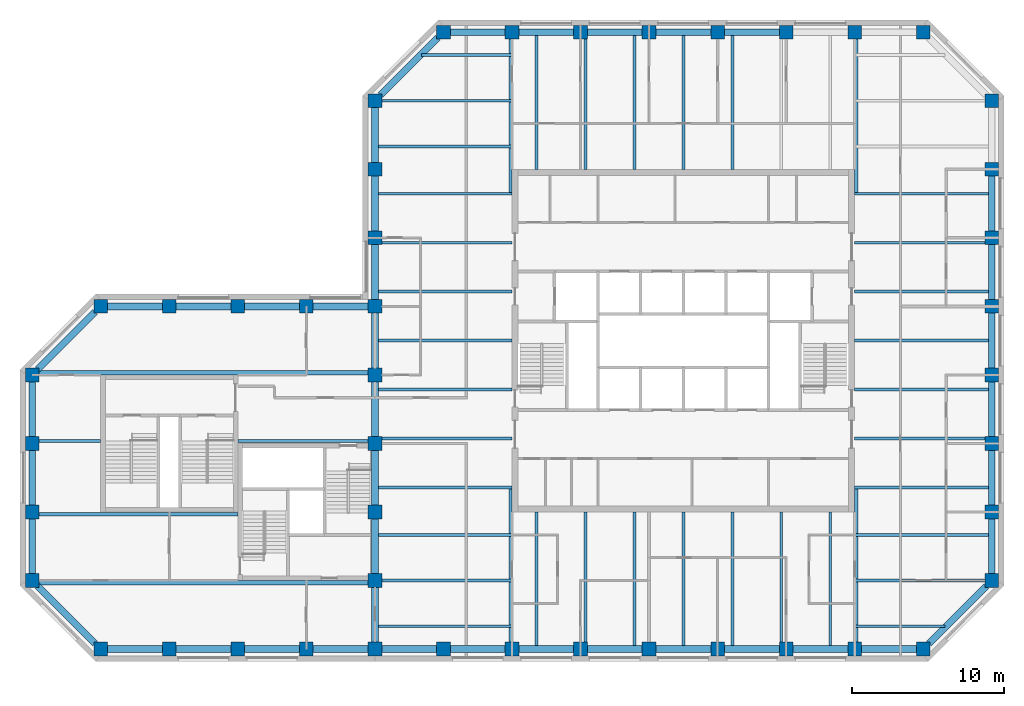
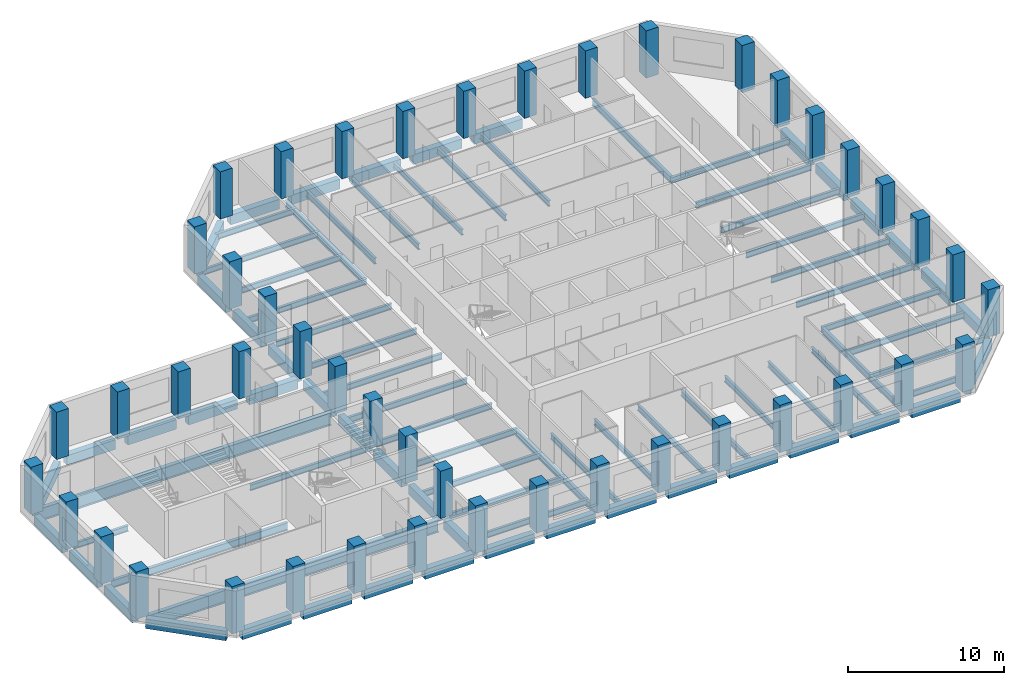
# One storey, part 1 of 9: 86 beams, 45 columns.
"""IFC4 building model written with IfcOpenShell, lengths in metres."""

from ifc_helpers import new_model, si_unit, direction, frame, origin, origin_2d, place, context, subcontext, project, spatial, rectangle, i_section, extrude, material, material_profile, profile_set, type_object, element, save


model = new_model("IFC4")

# Units and contexts
model_context = context("Model", 3, precision=1e-05, world=origin(), true_north=direction((0.0, 1.0)))
body_context = subcontext(model_context, "Body", "Model", "MODEL_VIEW")
ifc_project = project(units=[si_unit("LENGTHUNIT", "METRE"), si_unit("AREAUNIT", "SQUARE_METRE"), si_unit("VOLUMEUNIT", "CUBIC_METRE"), si_unit("PLANEANGLEUNIT", "RADIAN"), si_unit("MASSUNIT", "GRAM", prefix="KILO")], contexts=[model_context])

# Site, building, storey
site_placement = place(None, origin())
site = spatial("IfcSite", under=ifc_project, at=site_placement, CompositionType="ELEMENT")
building_placement = place(site_placement, origin())
building = spatial("IfcBuilding", under=site, at=building_placement, Name="Quoin Convention Tower", CompositionType="ELEMENT")
storey_placement = place(building_placement, frame((0.0, 0.0, 241.5)))
storey = spatial("IfcBuildingStorey", under=building, at=storey_placement, Name="L63", CompositionType="ELEMENT", Elevation=241.5)

# Columns
ifc_material_1 = material(Name="Concrete C50", Category="concrete")
ifc_material_profile_1 = material_profile(ifc_material_1, rectangle(XDim=0.89990234375, YDim=0.89990234375, at=origin_2d()), Name="RC 900x900")
ifc_profile_set_1 = profile_set([ifc_material_profile_1], Name="Concrete C50")
column_type = type_object("IfcColumnType", Name="RC 900x900 C50", PredefinedType="COLUMN", material=ifc_profile_set_1)
for number, where, z_axis, x_axis, name in (
    (1, (18.0, 40.5, 0.0), (0.0, 0.0, 1.0), (1.0, 0.0, 0.0), "col-L63-18000_40500"),
    (2, (22.5, 40.5, 0.0), (0.0, 0.0, 1.0), (1.0, 0.0, 0.0), "col-L63-22500_40500"),
    (3, (27.0, 40.5, 0.0), (0.0, 0.0, 1.0), (1.0, 0.0, 0.0), "col-L63-27000_40500"),
    (4, (31.5, 40.5, 0.0), (0.0, 0.0, 1.0), (1.0, 0.0, 0.0), "col-L63-31500_40500"),
    (5, (36.0, 40.5, 0.0), (0.0, 0.0, 1.0), (1.0, 0.0, 0.0), "col-L63-36000_40500"),
    (6, (40.5, 40.5, 0.0), (0.0, 0.0, 1.0), (1.0, 0.0, 0.0), "col-L63-40500_40500"),
    (7, (45.0, 40.5, 0.0), (0.0, 0.0, 1.0), (1.0, 0.0, 0.0), "col-L63-45000_40500"),
    (8, (49.5, 40.5, 0.0), (0.0, 0.0, 1.0), (1.0, 0.0, 0.0), "col-L63-49500_40500"),
    (9, (54.0, 40.5, 0.0), (0.0, 0.0, 1.0), (1.0, 0.0, 0.0), "col-L63-54000_40500"),
    (10, (58.5, 40.5, 0.0), (0.0, 0.0, 1.0), (1.0, 0.0, 0.0), "col-L63-58500_40500"),
    (11, (63.0, 40.5, 0.0), (0.0, 0.0, 1.0), (1.0, 0.0, 0.0), "col-L63-63000_40500"),
    (12, (67.5, 40.5, 0.0), (0.0, 0.0, 1.0), (1.0, 0.0, 0.0), "col-L63-67500_40500"),
    (13, (72.0, 40.5, 0.0), (0.0, 0.0, 1.0), (1.0, 0.0, 0.0), "col-L63-72000_40500"),
    (14, (13.5, 45.0, 0.0), (0.0, 0.0, 1.0), (1.0, 0.0, 0.0), "col-L63-13500_45000"),
    (15, (36.0, 45.0, 0.0), (0.0, 0.0, 1.0), (1.0, 0.0, 0.0), "web-L63-36000_45000"),
    (16, (76.5, 45.0, 0.0), (0.0, 0.0, 1.0), (1.0, 0.0, 0.0), "col-L63-76500_45000"),
    (17, (13.5, 49.5, 0.0), (0.0, 0.0, 1.0), (1.0, 0.0, 0.0), "col-L63-13500_49500"),
    (18, (36.0, 49.5, 0.0), (0.0, 0.0, 1.0), (1.0, 0.0, 0.0), "web-L63-36000_49500"),
    (19, (76.5, 49.5, 0.0), (0.0, 0.0, 1.0), (1.0, 0.0, 0.0), "col-L63-76500_49500"),
    (20, (13.5, 54.0, 0.0), (0.0, 0.0, 1.0), (1.0, 0.0, 0.0), "col-L63-13500_54000"),
    (21, (36.0, 54.0, 0.0), (0.0, 0.0, 1.0), (1.0, 0.0, 0.0), "web-L63-36000_54000"),
    (22, (76.5, 54.0, 0.0), (0.0, 0.0, 1.0), (1.0, 0.0, 0.0), "col-L63-76500_54000"),
    (23, (13.5, 58.5, 0.0), (0.0, 0.0, 1.0), (1.0, 0.0, 0.0), "col-L63-13500_58500"),
    (24, (36.0, 58.5, 0.0), (0.0, 0.0, 1.0), (1.0, 0.0, 0.0), "web-L63-36000_58500"),
    (25, (76.5, 58.5, 0.0), (0.0, 0.0, 1.0), (1.0, 0.0, 0.0), "col-L63-76500_58500"),
    (26, (18.0, 63.0, 0.0), (0.0, 0.0, 1.0), (1.0, 0.0, 0.0), "col-L63-18000_63000"),
    (27, (22.5, 63.0, 0.0), (0.0, 0.0, 1.0), (1.0, 0.0, 0.0), "col-L63-22500_63000"),
    (28, (27.0, 63.0, 0.0), (0.0, 0.0, 1.0), (1.0, 0.0, 0.0), "col-L63-27000_63000"),
    (29, (31.5, 63.0, 0.0), (0.0, 0.0, 1.0), (1.0, 0.0, 0.0), "col-L63-31500_63000"),
    (30, (36.0, 63.0, 0.0), (0.0, 0.0, 1.0), (1.0, 0.0, 0.0), "col-L63-36000_63000"),
    (31, (76.5, 63.0, 0.0), (0.0, 0.0, 1.0), (1.0, 0.0, 0.0), "col-L63-76500_63000"),
    (32, (36.0, 67.5, 0.0), (0.0, 0.0, 1.0), (1.0, 0.0, 0.0), "col-L63-36000_67500"),
    (33, (76.5, 67.5, 0.0), (0.0, 0.0, 1.0), (1.0, 0.0, 0.0), "col-L63-76500_67500"),
    (34, (36.0, 72.0, 0.0), (0.0, 0.0, 1.0), (1.0, 0.0, 0.0), "col-L63-36000_72000"),
    (35, (76.5, 72.0, 0.0), (0.0, 0.0, 1.0), (1.0, 0.0, 0.0), "col-L63-76500_72000"),
    (36, (36.0, 76.5, 0.0), (0.0, 0.0, 1.0), (1.0, 0.0, 0.0), "col-L63-36000_76500"),
    (37, (76.5, 76.5, 0.0), (0.0, 0.0, 1.0), (1.0, 0.0, 0.0), "col-L63-76500_76500"),
    (38, (40.5, 81.0, 0.0), (0.0, 0.0, 1.0), (1.0, 0.0, 0.0), "col-L63-40500_81000"),
    (39, (45.0, 81.0, 0.0), (0.0, 0.0, 1.0), (1.0, 0.0, 0.0), "col-L63-45000_81000"),
    (40, (49.5, 81.0, 0.0), (0.0, 0.0, 1.0), (1.0, 0.0, 0.0), "col-L63-49500_81000"),
    (41, (54.0, 81.0, 0.0), (0.0, 0.0, 1.0), (1.0, 0.0, 0.0), "col-L63-54000_81000"),
    (42, (58.5, 81.0, 0.0), (0.0, 0.0, 1.0), (1.0, 0.0, 0.0), "col-L63-58500_81000"),
    (43, (63.0, 81.0, 0.0), (0.0, 0.0, 1.0), (1.0, 0.0, 0.0), "col-L63-63000_81000"),
    (44, (67.5, 81.0, 0.0), (0.0, 0.0, 1.0), (1.0, 0.0, 0.0), "col-L63-67500_81000"),
    (45, (72.0, 81.0, 0.0), (0.0, 0.0, 1.0), (1.0, 0.0, 0.0), "col-L63-72000_81000"),
):
    element("IfcColumn", number, at=place(storey_placement, frame(where, z_axis=z_axis, x_axis=x_axis)), inside=storey, type_object=column_type, Name=name, PredefinedType="COLUMN", context=body_context, shape_type="SweptSolid", body=[
        extrude(rectangle(XDim=0.89990234375, YDim=0.89990234375, at=origin_2d()), origin(), (0.0, 0.0, 1.0), 3.699951171875),
    ])

# Beams
ifc_material_2 = material(Name="Steel Grade 300", Category="steel")
ifc_material_profile_2 = material_profile(ifc_material_2, i_section(OverallWidth=0.300048828125, OverallDepth=1.0, WebThickness=0.01611328125, FlangeThickness=0.02001953125, at=origin_2d()), Name="1000WB215")
ifc_profile_set_2 = profile_set([ifc_material_profile_2], Name="Steel Grade 300")
beam_type_1 = type_object("IfcBeamType", Name="1000WB215", PredefinedType="BEAM", material=ifc_profile_set_2)
for number, where, z_axis, x_axis, name in (
    (46, (13.949951171875, 44.85009765625, -0.64990234375), (1.0, 0.0, 0.0), (0.0, 1.0, 0.0), "gir-L63-ST2-1-0"),
    (47, (13.949951171875, 58.64990234375, -0.64990234375), (1.0, 0.0, 0.0), (0.0, 1.0, 0.0), "gir-L63-ST2-4-0"),
):
    element("IfcBeam", number, at=place(storey_placement, frame(where, z_axis=z_axis, x_axis=x_axis)), inside=storey, type_object=beam_type_1, Name=name, PredefinedType="BEAM", context=body_context, shape_type="SweptSolid", body=[
        extrude(i_section(OverallWidth=0.300048828125, OverallDepth=1.0, WebThickness=0.01611328125, FlangeThickness=0.02001953125, at=origin_2d()), origin(), (0.0, 0.0, 1.0), 21.60009765625),
    ])
ifc_material_profile_3 = material_profile(ifc_material_2, i_section(OverallWidth=0.18994140625, OverallDepth=0.4541015625, WebThickness=0.008544921875, FlangeThickness=0.0126953125, FilletRadius=0.011474609375, at=origin_2d()), Name="460UB67.1")
ifc_profile_set_3 = profile_set([ifc_material_profile_3], Name="Steel Grade 300")
beam_type_2 = type_object("IfcBeamType", Name="460UB67.1", PredefinedType="BEAM", material=ifc_profile_set_3)
beam_1_placement = place(storey_placement, frame((36.22509765625, 51.107177734375, -0.376953125), z_axis=(1.0, 0.0, 0.0), x_axis=(0.0, 1.0, 0.0)))
element("IfcBeam", 48, at=beam_1_placement, inside=storey, type_object=beam_type_2, Name="bm-L63-T1W0", PredefinedType="BEAM", context=body_context, shape_type="SweptSolid", body=[
    extrude(i_section(OverallWidth=0.18994140625, OverallDepth=0.4541015625, WebThickness=0.008544921875, FlangeThickness=0.0126953125, FilletRadius=0.011474609375, at=origin_2d()), origin(), (0.0, 0.0, 1.0), 8.77490234375),
])
beam_2_placement = place(storey_placement, frame((36.449951171875, 54.3212890625, -0.376953125), z_axis=(1.0, 0.0, 0.0), x_axis=(0.0, 1.0, 0.0)))
element("IfcBeam", 49, at=beam_2_placement, inside=storey, type_object=beam_type_2, Name="bm-L63-T1W1", PredefinedType="BEAM", context=body_context, shape_type="SweptSolid", body=[
    extrude(i_section(OverallWidth=0.18994140625, OverallDepth=0.4541015625, WebThickness=0.008544921875, FlangeThickness=0.0126953125, FilletRadius=0.011474609375, at=origin_2d()), origin(), (0.0, 0.0, 1.0), 8.550048828125),
])
for number, where, z_axis, x_axis, name in (
    (50, (36.22509765625, 57.53564453125, -0.376953125), (1.0, 0.0, 0.0), (0.0, 1.0, 0.0), "bm-L63-T1W2"),
    (51, (36.22509765625, 60.75, -0.376953125), (1.0, 0.0, 0.0), (0.0, 1.0, 0.0), "bm-L63-T1W3"),
    (52, (36.22509765625, 63.96435546875, -0.376953125), (1.0, 0.0, 0.0), (0.0, 1.0, 0.0), "bm-L63-T1W4"),
):
    element("IfcBeam", number, at=place(storey_placement, frame(where, z_axis=z_axis, x_axis=x_axis)), inside=storey, type_object=beam_type_2, Name=name, PredefinedType="BEAM", context=body_context, shape_type="SweptSolid", body=[
        extrude(i_section(OverallWidth=0.18994140625, OverallDepth=0.4541015625, WebThickness=0.008544921875, FlangeThickness=0.0126953125, FilletRadius=0.011474609375, at=origin_2d()), origin(), (0.0, 0.0, 1.0), 8.77490234375),
    ])
beam_3_placement = place(storey_placement, frame((36.449951171875, 67.1787109375, -0.376953125), z_axis=(1.0, 0.0, 0.0), x_axis=(0.0, 1.0, 0.0)))
element("IfcBeam", 53, at=beam_3_placement, inside=storey, type_object=beam_type_2, Name="bm-L63-T1W5", PredefinedType="BEAM", context=body_context, shape_type="SweptSolid", body=[
    extrude(i_section(OverallWidth=0.18994140625, OverallDepth=0.4541015625, WebThickness=0.008544921875, FlangeThickness=0.0126953125, FilletRadius=0.011474609375, at=origin_2d()), origin(), (0.0, 0.0, 1.0), 8.550048828125),
])
for number, where, z_axis, x_axis, name in (
    (54, (36.22509765625, 70.392822265625, -0.376953125), (1.0, 0.0, 0.0), (0.0, 1.0, 0.0), "bm-L63-T1W6"),
    (55, (67.5, 51.107177734375, -0.376953125), (1.0, 0.0, 0.0), (0.0, 1.0, 0.0), "bm-L63-T1E0"),
):
    element("IfcBeam", number, at=place(storey_placement, frame(where, z_axis=z_axis, x_axis=x_axis)), inside=storey, type_object=beam_type_2, Name=name, PredefinedType="BEAM", context=body_context, shape_type="SweptSolid", body=[
        extrude(i_section(OverallWidth=0.18994140625, OverallDepth=0.4541015625, WebThickness=0.008544921875, FlangeThickness=0.0126953125, FilletRadius=0.011474609375, at=origin_2d()), origin(), (0.0, 0.0, 1.0), 8.77490234375),
    ])
beam_4_placement = place(storey_placement, frame((67.5, 54.3212890625, -0.376953125), z_axis=(1.0, 0.0, 0.0), x_axis=(0.0, 1.0, 0.0)))
element("IfcBeam", 56, at=beam_4_placement, inside=storey, type_object=beam_type_2, Name="bm-L63-T1E1", PredefinedType="BEAM", context=body_context, shape_type="SweptSolid", body=[
    extrude(i_section(OverallWidth=0.18994140625, OverallDepth=0.4541015625, WebThickness=0.008544921875, FlangeThickness=0.0126953125, FilletRadius=0.011474609375, at=origin_2d()), origin(), (0.0, 0.0, 1.0), 8.550048828125),
])
for number, where, z_axis, x_axis, name in (
    (57, (67.5, 57.53564453125, -0.376953125), (1.0, 0.0, 0.0), (0.0, 1.0, 0.0), "bm-L63-T1E2"),
    (58, (67.5, 60.75, -0.376953125), (1.0, 0.0, 0.0), (0.0, 1.0, 0.0), "bm-L63-T1E3"),
    (59, (67.5, 63.96435546875, -0.376953125), (1.0, 0.0, 0.0), (0.0, 1.0, 0.0), "bm-L63-T1E4"),
):
    element("IfcBeam", number, at=place(storey_placement, frame(where, z_axis=z_axis, x_axis=x_axis)), inside=storey, type_object=beam_type_2, Name=name, PredefinedType="BEAM", context=body_context, shape_type="SweptSolid", body=[
        extrude(i_section(OverallWidth=0.18994140625, OverallDepth=0.4541015625, WebThickness=0.008544921875, FlangeThickness=0.0126953125, FilletRadius=0.011474609375, at=origin_2d()), origin(), (0.0, 0.0, 1.0), 8.77490234375),
    ])
beam_5_placement = place(storey_placement, frame((67.5, 67.1787109375, -0.376953125), z_axis=(1.0, 0.0, 0.0), x_axis=(0.0, 1.0, 0.0)))
element("IfcBeam", 60, at=beam_5_placement, inside=storey, type_object=beam_type_2, Name="bm-L63-T1E5", PredefinedType="BEAM", context=body_context, shape_type="SweptSolid", body=[
    extrude(i_section(OverallWidth=0.18994140625, OverallDepth=0.4541015625, WebThickness=0.008544921875, FlangeThickness=0.0126953125, FilletRadius=0.011474609375, at=origin_2d()), origin(), (0.0, 0.0, 1.0), 8.550048828125),
])
for number, where, z_axis, x_axis, name in (
    (61, (67.5, 70.392822265625, -0.376953125), (1.0, 0.0, 0.0), (0.0, 1.0, 0.0), "bm-L63-T1E6"),
    (62, (46.607177734375, 40.72509765625, -0.376953125), (0.0, 1.0, 0.0), (-1.0, 0.0, 0.0), "bm-L63-T1S0"),
):
    element("IfcBeam", number, at=place(storey_placement, frame(where, z_axis=z_axis, x_axis=x_axis)), inside=storey, type_object=beam_type_2, Name=name, PredefinedType="BEAM", context=body_context, shape_type="SweptSolid", body=[
        extrude(i_section(OverallWidth=0.18994140625, OverallDepth=0.4541015625, WebThickness=0.008544921875, FlangeThickness=0.0126953125, FilletRadius=0.011474609375, at=origin_2d()), origin(), (0.0, 0.0, 1.0), 8.77490234375),
    ])
beam_6_placement = place(storey_placement, frame((49.8212890625, 40.949951171875, -0.376953125), z_axis=(0.0, 1.0, 0.0), x_axis=(-1.0, 0.0, 0.0)))
element("IfcBeam", 63, at=beam_6_placement, inside=storey, type_object=beam_type_2, Name="bm-L63-T1S1", PredefinedType="BEAM", context=body_context, shape_type="SweptSolid", body=[
    extrude(i_section(OverallWidth=0.18994140625, OverallDepth=0.4541015625, WebThickness=0.008544921875, FlangeThickness=0.0126953125, FilletRadius=0.011474609375, at=origin_2d()), origin(), (0.0, 0.0, 1.0), 8.550048828125),
])
for number, where, z_axis, x_axis, name in (
    (64, (53.03564453125, 40.72509765625, -0.376953125), (0.0, 1.0, 0.0), (-1.0, 0.0, 0.0), "bm-L63-T1S2"),
    (65, (56.25, 40.72509765625, -0.376953125), (0.0, 1.0, 0.0), (-1.0, 0.0, 0.0), "bm-L63-T1S3"),
    (66, (59.46435546875, 40.72509765625, -0.376953125), (0.0, 1.0, 0.0), (-1.0, 0.0, 0.0), "bm-L63-T1S4"),
):
    element("IfcBeam", number, at=place(storey_placement, frame(where, z_axis=z_axis, x_axis=x_axis)), inside=storey, type_object=beam_type_2, Name=name, PredefinedType="BEAM", context=body_context, shape_type="SweptSolid", body=[
        extrude(i_section(OverallWidth=0.18994140625, OverallDepth=0.4541015625, WebThickness=0.008544921875, FlangeThickness=0.0126953125, FilletRadius=0.011474609375, at=origin_2d()), origin(), (0.0, 0.0, 1.0), 8.77490234375),
    ])
beam_7_placement = place(storey_placement, frame((62.6787109375, 40.949951171875, -0.376953125), z_axis=(0.0, 1.0, 0.0), x_axis=(-1.0, 0.0, 0.0)))
element("IfcBeam", 67, at=beam_7_placement, inside=storey, type_object=beam_type_2, Name="bm-L63-T1S5", PredefinedType="BEAM", context=body_context, shape_type="SweptSolid", body=[
    extrude(i_section(OverallWidth=0.18994140625, OverallDepth=0.4541015625, WebThickness=0.008544921875, FlangeThickness=0.0126953125, FilletRadius=0.011474609375, at=origin_2d()), origin(), (0.0, 0.0, 1.0), 8.550048828125),
])
for number, where, z_axis, x_axis, name in (
    (68, (65.892822265625, 40.72509765625, -0.376953125), (0.0, 1.0, 0.0), (-1.0, 0.0, 0.0), "bm-L63-T1S6"),
    (69, (46.607177734375, 72.0, -0.376953125), (0.0, 1.0, 0.0), (-1.0, 0.0, 0.0), "bm-L63-T1N0"),
):
    element("IfcBeam", number, at=place(storey_placement, frame(where, z_axis=z_axis, x_axis=x_axis)), inside=storey, type_object=beam_type_2, Name=name, PredefinedType="BEAM", context=body_context, shape_type="SweptSolid", body=[
        extrude(i_section(OverallWidth=0.18994140625, OverallDepth=0.4541015625, WebThickness=0.008544921875, FlangeThickness=0.0126953125, FilletRadius=0.011474609375, at=origin_2d()), origin(), (0.0, 0.0, 1.0), 8.77490234375),
    ])
beam_8_placement = place(storey_placement, frame((49.8212890625, 72.0, -0.376953125), z_axis=(0.0, 1.0, 0.0), x_axis=(-1.0, 0.0, 0.0)))
element("IfcBeam", 70, at=beam_8_placement, inside=storey, type_object=beam_type_2, Name="bm-L63-T1N1", PredefinedType="BEAM", context=body_context, shape_type="SweptSolid", body=[
    extrude(i_section(OverallWidth=0.18994140625, OverallDepth=0.4541015625, WebThickness=0.008544921875, FlangeThickness=0.0126953125, FilletRadius=0.011474609375, at=origin_2d()), origin(), (0.0, 0.0, 1.0), 8.550048828125),
])
for number, where, z_axis, x_axis, name in (
    (71, (53.03564453125, 72.0, -0.376953125), (0.0, 1.0, 0.0), (-1.0, 0.0, 0.0), "bm-L63-T1N2"),
    (72, (56.25, 72.0, -0.376953125), (0.0, 1.0, 0.0), (-1.0, 0.0, 0.0), "bm-L63-T1N3"),
    (73, (59.46435546875, 72.0, -0.376953125), (0.0, 1.0, 0.0), (-1.0, 0.0, 0.0), "bm-L63-T1N4"),
    (74, (36.22509765625, 42.0, -0.376953125), (1.0, 0.0, 0.0), (0.0, 1.0, 0.0), "bm-L63-T1SW0"),
):
    element("IfcBeam", number, at=place(storey_placement, frame(where, z_axis=z_axis, x_axis=x_axis)), inside=storey, type_object=beam_type_2, Name=name, PredefinedType="BEAM", context=body_context, shape_type="SweptSolid", body=[
        extrude(i_section(OverallWidth=0.18994140625, OverallDepth=0.4541015625, WebThickness=0.008544921875, FlangeThickness=0.0126953125, FilletRadius=0.011474609375, at=origin_2d()), origin(), (0.0, 0.0, 1.0), 8.77490234375),
    ])
beam_9_placement = place(storey_placement, frame((36.449951171875, 45.0, -0.376953125), z_axis=(1.0, 0.0, 0.0), x_axis=(0.0, 1.0, 0.0)))
element("IfcBeam", 75, at=beam_9_placement, inside=storey, type_object=beam_type_2, Name="bm-L63-T1SW1", PredefinedType="BEAM", context=body_context, shape_type="SweptSolid", body=[
    extrude(i_section(OverallWidth=0.18994140625, OverallDepth=0.4541015625, WebThickness=0.008544921875, FlangeThickness=0.0126953125, FilletRadius=0.011474609375, at=origin_2d()), origin(), (0.0, 0.0, 1.0), 8.550048828125),
])
beam_10_placement = place(storey_placement, frame((36.22509765625, 48.0, -0.376953125), z_axis=(1.0, 0.0, 0.0), x_axis=(0.0, 1.0, 0.0)))
element("IfcBeam", 76, at=beam_10_placement, inside=storey, type_object=beam_type_2, Name="bm-L63-T1SW2", PredefinedType="BEAM", context=body_context, shape_type="SweptSolid", body=[
    extrude(i_section(OverallWidth=0.18994140625, OverallDepth=0.4541015625, WebThickness=0.008544921875, FlangeThickness=0.0126953125, FilletRadius=0.011474609375, at=origin_2d()), origin(), (0.0, 0.0, 1.0), 8.77490234375),
])
beam_11_placement = place(storey_placement, frame((67.5, 42.0, -0.376953125), z_axis=(1.0, 0.0, 0.0), x_axis=(0.0, 1.0, 0.0)))
element("IfcBeam", 77, at=beam_11_placement, inside=storey, type_object=beam_type_2, Name="bm-L63-T1SE0", PredefinedType="BEAM", context=body_context, shape_type="SweptSolid", body=[
    extrude(i_section(OverallWidth=0.18994140625, OverallDepth=0.4541015625, WebThickness=0.008544921875, FlangeThickness=0.0126953125, FilletRadius=0.011474609375, at=origin_2d()), origin(), (0.0, 0.0, 1.0), 5.935791015625),
])
beam_12_placement = place(storey_placement, frame((67.5, 45.0, -0.376953125), z_axis=(1.0, 0.0, 0.0), x_axis=(0.0, 1.0, 0.0)))
element("IfcBeam", 78, at=beam_12_placement, inside=storey, type_object=beam_type_2, Name="bm-L63-T1SE1", PredefinedType="BEAM", context=body_context, shape_type="SweptSolid", body=[
    extrude(i_section(OverallWidth=0.18994140625, OverallDepth=0.4541015625, WebThickness=0.008544921875, FlangeThickness=0.0126953125, FilletRadius=0.011474609375, at=origin_2d()), origin(), (0.0, 0.0, 1.0), 8.550048828125),
])
beam_13_placement = place(storey_placement, frame((67.5, 48.0, -0.376953125), z_axis=(1.0, 0.0, 0.0), x_axis=(0.0, 1.0, 0.0)))
element("IfcBeam", 79, at=beam_13_placement, inside=storey, type_object=beam_type_2, Name="bm-L63-T1SE2", PredefinedType="BEAM", context=body_context, shape_type="SweptSolid", body=[
    extrude(i_section(OverallWidth=0.18994140625, OverallDepth=0.4541015625, WebThickness=0.008544921875, FlangeThickness=0.0126953125, FilletRadius=0.011474609375, at=origin_2d()), origin(), (0.0, 0.0, 1.0), 8.77490234375),
])
beam_14_placement = place(storey_placement, frame((39.064208984375, 79.5, -0.376953125), z_axis=(1.0, 0.0, 0.0), x_axis=(0.0, 1.0, 0.0)))
element("IfcBeam", 80, at=beam_14_placement, inside=storey, type_object=beam_type_2, Name="bm-L63-T1NW0", PredefinedType="BEAM", context=body_context, shape_type="SweptSolid", body=[
    extrude(i_section(OverallWidth=0.18994140625, OverallDepth=0.4541015625, WebThickness=0.008544921875, FlangeThickness=0.0126953125, FilletRadius=0.011474609375, at=origin_2d()), origin(), (0.0, 0.0, 1.0), 5.935791015625),
])
beam_15_placement = place(storey_placement, frame((36.449951171875, 76.5, -0.376953125), z_axis=(1.0, 0.0, 0.0), x_axis=(0.0, 1.0, 0.0)))
element("IfcBeam", 81, at=beam_15_placement, inside=storey, type_object=beam_type_2, Name="bm-L63-T1NW1", PredefinedType="BEAM", context=body_context, shape_type="SweptSolid", body=[
    extrude(i_section(OverallWidth=0.18994140625, OverallDepth=0.4541015625, WebThickness=0.008544921875, FlangeThickness=0.0126953125, FilletRadius=0.011474609375, at=origin_2d()), origin(), (0.0, 0.0, 1.0), 8.550048828125),
])
beam_16_placement = place(storey_placement, frame((36.22509765625, 73.5, -0.376953125), z_axis=(1.0, 0.0, 0.0), x_axis=(0.0, 1.0, 0.0)))
element("IfcBeam", 82, at=beam_16_placement, inside=storey, type_object=beam_type_2, Name="bm-L63-T1NW2", PredefinedType="BEAM", context=body_context, shape_type="SweptSolid", body=[
    extrude(i_section(OverallWidth=0.18994140625, OverallDepth=0.4541015625, WebThickness=0.008544921875, FlangeThickness=0.0126953125, FilletRadius=0.011474609375, at=origin_2d()), origin(), (0.0, 0.0, 1.0), 8.77490234375),
])
beam_17_placement = place(storey_placement, frame((13.949951171875, 54.14990234375, -0.376953125), z_axis=(1.0, 0.0, 0.0), x_axis=(0.0, 1.0, 0.0)))
element("IfcBeam", 83, at=beam_17_placement, inside=storey, type_object=beam_type_2, Name="gir-L63-ST2-3-0", PredefinedType="BEAM", context=body_context, shape_type="SweptSolid", body=[
    extrude(i_section(OverallWidth=0.18994140625, OverallDepth=0.4541015625, WebThickness=0.008544921875, FlangeThickness=0.0126953125, FilletRadius=0.011474609375, at=origin_2d()), origin(), (0.0, 0.0, 1.0), 4.050048828125),
])
beam_18_placement = place(storey_placement, frame((27.0, 54.14990234375, -0.376953125), z_axis=(1.0, 0.0, 0.0), x_axis=(0.0, 1.0, 0.0)))
element("IfcBeam", 84, at=beam_18_placement, inside=storey, type_object=beam_type_2, Name="gir-L63-ST2-3-1", PredefinedType="BEAM", context=body_context, shape_type="SweptSolid", body=[
    extrude(i_section(OverallWidth=0.18994140625, OverallDepth=0.4541015625, WebThickness=0.008544921875, FlangeThickness=0.0126953125, FilletRadius=0.011474609375, at=origin_2d()), origin(), (0.0, 0.0, 1.0), 8.550048828125),
])
ifc_material_profile_4 = material_profile(ifc_material_2, i_section(OverallWidth=0.208984375, OverallDepth=0.528076171875, WebThickness=0.009521484375, FlangeThickness=0.01318359375, FilletRadius=0.013916015625, at=origin_2d()), Name="530UB82.0")
ifc_profile_set_4 = profile_set([ifc_material_profile_4], Name="Steel Grade 300")
beam_type_3 = type_object("IfcBeamType", Name="530UB82.0", PredefinedType="BEAM", material=ifc_profile_set_4)
for number, where, z_axis, x_axis, name in (
    (85, (44.904541015625, 40.949951171875, -0.4140625), (0.0, 1.0, 0.0), (-1.0, 0.0, 0.0), "gir-L63-T1SW"),
    (86, (67.595458984375, 40.949951171875, -0.4140625), (0.0, 1.0, 0.0), (-1.0, 0.0, 0.0), "gir-L63-T1SE"),
    (87, (44.904541015625, 80.550048828125, -0.4140625), (0.0, -1.0, 0.0), (1.0, 0.0, 0.0), "gir-L63-T1NW"),
    (88, (67.595458984375, 80.550048828125, -0.4140625), (0.0, -1.0, 0.0), (1.0, 0.0, 0.0), "gir-L63-T1NE"),
):
    element("IfcBeam", number, at=place(storey_placement, frame(where, z_axis=z_axis, x_axis=x_axis)), inside=storey, type_object=beam_type_3, Name=name, PredefinedType="BEAM", context=body_context, shape_type="SweptSolid", body=[
        extrude(i_section(OverallWidth=0.208984375, OverallDepth=0.528076171875, WebThickness=0.009521484375, FlangeThickness=0.01318359375, FilletRadius=0.013916015625, at=origin_2d()), origin(), (0.0, 0.0, 1.0), 10.062255859375),
    ])
ifc_material_profile_5 = material_profile(ifc_material_2, i_section(OverallWidth=0.22802734375, OverallDepth=0.60205078125, WebThickness=0.010498046875, FlangeThickness=0.014892578125, FilletRadius=0.013916015625, at=origin_2d()), Name="610UB101")
ifc_profile_set_5 = profile_set([ifc_material_profile_5], Name="Steel Grade 300")
beam_type_4 = type_object("IfcBeamType", Name="610UB101", PredefinedType="BEAM", material=ifc_profile_set_5)
beam_19_placement = place(storey_placement, frame((13.949951171875, 49.35009765625, -0.450927734375), z_axis=(1.0, 0.0, 0.0), x_axis=(0.0, 1.0, 0.0)))
element("IfcBeam", 89, at=beam_19_placement, inside=storey, type_object=beam_type_4, Name="gir-L63-ST2-2-0", PredefinedType="BEAM", context=body_context, shape_type="SweptSolid", body=[
    extrude(i_section(OverallWidth=0.22802734375, OverallDepth=0.60205078125, WebThickness=0.010498046875, FlangeThickness=0.014892578125, FilletRadius=0.013916015625, at=origin_2d()), origin(), (0.0, 0.0, 1.0), 13.050048828125),
])
ifc_material_profile_6 = material_profile(ifc_material_1, rectangle(XDim=0.449951171875, YDim=0.75, at=origin_2d()), Name="RC 450x750")
ifc_profile_set_6 = profile_set([ifc_material_profile_6], Name="Concrete C50")
beam_type_5 = type_object("IfcBeamType", Name="RC 450x750 C50", PredefinedType="SPANDREL", material=ifc_profile_set_6)
for number, where, z_axis, x_axis, name in (
    (90, (36.449951171875, 40.5, -0.52490234375), (1.0, 0.0, 0.0), (0.0, 1.0, 0.0), "spd-L63-36000_40500-40500_40500"),
    (91, (40.949951171875, 40.5, -0.52490234375), (1.0, 0.0, 0.0), (0.0, 1.0, 0.0), "spd-L63-40500_40500-45000_40500"),
    (92, (45.449951171875, 40.5, -0.52490234375), (1.0, 0.0, 0.0), (0.0, 1.0, 0.0), "spd-L63-45000_40500-49500_40500"),
    (93, (49.949951171875, 40.5, -0.52490234375), (1.0, 0.0, 0.0), (0.0, 1.0, 0.0), "spd-L63-49500_40500-54000_40500"),
    (94, (54.449951171875, 40.5, -0.52490234375), (1.0, 0.0, 0.0), (0.0, 1.0, 0.0), "spd-L63-54000_40500-58500_40500"),
    (95, (58.949951171875, 40.5, -0.52490234375), (1.0, 0.0, 0.0), (0.0, 1.0, 0.0), "spd-L63-58500_40500-63000_40500"),
    (96, (63.449951171875, 40.5, -0.52490234375), (1.0, 0.0, 0.0), (0.0, 1.0, 0.0), "spd-L63-63000_40500-67500_40500"),
    (97, (67.949951171875, 40.5, -0.52490234375), (1.0, 0.0, 0.0), (0.0, 1.0, 0.0), "spd-L63-67500_40500-72000_40500"),
):
    element("IfcBeam", number, at=place(storey_placement, frame(where, z_axis=z_axis, x_axis=x_axis)), inside=storey, type_object=beam_type_5, Name=name, PredefinedType="SPANDREL", context=body_context, shape_type="SweptSolid", body=[
        extrude(rectangle(XDim=0.449951171875, YDim=0.75, at=origin_2d()), origin(), (0.0, 0.0, 1.0), 3.60009765625),
    ])
beam_20_placement = place(storey_placement, frame((72.364990234375, 40.864990234375, -0.52490234375), z_axis=(0.707106781187, 0.707106781187, 0.0), x_axis=(-0.707106781187, 0.707106781187, 0.0)))
element("IfcBeam", 98, at=beam_20_placement, inside=storey, type_object=beam_type_5, Name="spd-L63-72000_40500-76500_45000", PredefinedType="SPANDREL", context=body_context, shape_type="SweptSolid", body=[
    extrude(rectangle(XDim=0.449951171875, YDim=0.75, at=origin_2d()), origin(), (0.0, 0.0, 1.0), 5.33154296875),
])
for number, where, z_axis, x_axis, name in (
    (99, (76.5, 45.449951171875, -0.52490234375), (0.0, 1.0, 0.0), (-1.0, 0.0, 0.0), "spd-L63-76500_45000-76500_49500"),
    (100, (76.5, 49.949951171875, -0.52490234375), (0.0, 1.0, 0.0), (-1.0, 0.0, 0.0), "spd-L63-76500_49500-76500_54000"),
    (101, (76.5, 54.449951171875, -0.52490234375), (0.0, 1.0, 0.0), (-1.0, 0.0, 0.0), "spd-L63-76500_54000-76500_58500"),
    (102, (76.5, 58.949951171875, -0.52490234375), (0.0, 1.0, 0.0), (-1.0, 0.0, 0.0), "spd-L63-76500_58500-76500_63000"),
    (103, (76.5, 63.449951171875, -0.52490234375), (0.0, 1.0, 0.0), (-1.0, 0.0, 0.0), "spd-L63-76500_63000-76500_67500"),
    (104, (76.5, 67.949951171875, -0.52490234375), (0.0, 1.0, 0.0), (-1.0, 0.0, 0.0), "spd-L63-76500_67500-76500_72000"),
    (105, (62.550048828125, 81.0, -0.52490234375), (-1.0, 0.0, 0.0), (0.0, -1.0, 0.0), "spd-L63-63000_81000-58500_81000"),
    (106, (58.050048828125, 81.0, -0.52490234375), (-1.0, 0.0, 0.0), (0.0, -1.0, 0.0), "spd-L63-58500_81000-54000_81000"),
    (107, (53.550048828125, 81.0, -0.52490234375), (-1.0, 0.0, 0.0), (0.0, -1.0, 0.0), "spd-L63-54000_81000-49500_81000"),
    (108, (49.050048828125, 81.0, -0.52490234375), (-1.0, 0.0, 0.0), (0.0, -1.0, 0.0), "spd-L63-49500_81000-45000_81000"),
    (109, (44.550048828125, 81.0, -0.52490234375), (-1.0, 0.0, 0.0), (0.0, -1.0, 0.0), "spd-L63-45000_81000-40500_81000"),
):
    element("IfcBeam", number, at=place(storey_placement, frame(where, z_axis=z_axis, x_axis=x_axis)), inside=storey, type_object=beam_type_5, Name=name, PredefinedType="SPANDREL", context=body_context, shape_type="SweptSolid", body=[
        extrude(rectangle(XDim=0.449951171875, YDim=0.75, at=origin_2d()), origin(), (0.0, 0.0, 1.0), 3.60009765625),
    ])
beam_21_placement = place(storey_placement, frame((40.135009765625, 80.635009765625, -0.52490234375), z_axis=(-0.707106781187, -0.707106781187, 0.0), x_axis=(0.707106781187, -0.707106781187, 0.0)))
element("IfcBeam", 110, at=beam_21_placement, inside=storey, type_object=beam_type_5, Name="spd-L63-40500_81000-36000_76500", PredefinedType="SPANDREL", context=body_context, shape_type="SweptSolid", body=[
    extrude(rectangle(XDim=0.449951171875, YDim=0.75, at=origin_2d()), origin(), (0.0, 0.0, 1.0), 5.33154296875),
])
for number, where, z_axis, x_axis, name in (
    (111, (36.0, 76.050048828125, -0.52490234375), (0.0, -1.0, 0.0), (1.0, 0.0, 0.0), "spd-L63-36000_76500-36000_72000"),
    (112, (36.0, 71.550048828125, -0.52490234375), (0.0, -1.0, 0.0), (1.0, 0.0, 0.0), "spd-L63-36000_72000-36000_67500"),
    (113, (36.0, 67.050048828125, -0.52490234375), (0.0, -1.0, 0.0), (1.0, 0.0, 0.0), "spd-L63-36000_67500-36000_63000"),
    (114, (35.550048828125, 63.0, -0.52490234375), (-1.0, 0.0, 0.0), (0.0, -1.0, 0.0), "spd-L63-36000_63000-31500_63000"),
    (115, (31.050048828125, 63.0, -0.52490234375), (-1.0, 0.0, 0.0), (0.0, -1.0, 0.0), "spd-L63-31500_63000-27000_63000"),
    (116, (26.550048828125, 63.0, -0.52490234375), (-1.0, 0.0, 0.0), (0.0, -1.0, 0.0), "spd-L63-27000_63000-22500_63000"),
    (117, (22.050048828125, 63.0, -0.52490234375), (-1.0, 0.0, 0.0), (0.0, -1.0, 0.0), "spd-L63-22500_63000-18000_63000"),
):
    element("IfcBeam", number, at=place(storey_placement, frame(where, z_axis=z_axis, x_axis=x_axis)), inside=storey, type_object=beam_type_5, Name=name, PredefinedType="SPANDREL", context=body_context, shape_type="SweptSolid", body=[
        extrude(rectangle(XDim=0.449951171875, YDim=0.75, at=origin_2d()), origin(), (0.0, 0.0, 1.0), 3.60009765625),
    ])
beam_22_placement = place(storey_placement, frame((17.635009765625, 62.635009765625, -0.52490234375), z_axis=(-0.707106781187, -0.707106781187, 0.0), x_axis=(0.707106781187, -0.707106781187, 0.0)))
element("IfcBeam", 118, at=beam_22_placement, inside=storey, type_object=beam_type_5, Name="spd-L63-18000_63000-13500_58500", PredefinedType="SPANDREL", context=body_context, shape_type="SweptSolid", body=[
    extrude(rectangle(XDim=0.449951171875, YDim=0.75, at=origin_2d()), origin(), (0.0, 0.0, 1.0), 5.33154296875),
])
for number, where, z_axis, x_axis, name in (
    (119, (13.5, 58.050048828125, -0.52490234375), (0.0, -1.0, 0.0), (1.0, 0.0, 0.0), "spd-L63-13500_58500-13500_54000"),
    (120, (13.5, 53.550048828125, -0.52490234375), (0.0, -1.0, 0.0), (1.0, 0.0, 0.0), "spd-L63-13500_54000-13500_49500"),
    (121, (13.5, 49.050048828125, -0.52490234375), (0.0, -1.0, 0.0), (1.0, 0.0, 0.0), "spd-L63-13500_49500-13500_45000"),
):
    element("IfcBeam", number, at=place(storey_placement, frame(where, z_axis=z_axis, x_axis=x_axis)), inside=storey, type_object=beam_type_5, Name=name, PredefinedType="SPANDREL", context=body_context, shape_type="SweptSolid", body=[
        extrude(rectangle(XDim=0.449951171875, YDim=0.75, at=origin_2d()), origin(), (0.0, 0.0, 1.0), 3.60009765625),
    ])
beam_23_placement = place(storey_placement, frame((13.864990234375, 44.635009765625, -0.52490234375), z_axis=(0.707106781187, -0.707106781187, 0.0), x_axis=(0.707106781187, 0.707106781187, 0.0)))
element("IfcBeam", 122, at=beam_23_placement, inside=storey, type_object=beam_type_5, Name="spd-L63-13500_45000-18000_40500", PredefinedType="SPANDREL", context=body_context, shape_type="SweptSolid", body=[
    extrude(rectangle(XDim=0.449951171875, YDim=0.75, at=origin_2d()), origin(), (0.0, 0.0, 1.0), 5.33154296875),
])
for number, where, z_axis, x_axis, name in (
    (123, (18.449951171875, 40.5, -0.52490234375), (1.0, 0.0, 0.0), (0.0, 1.0, 0.0), "spd-L63-18000_40500-22500_40500"),
    (124, (22.949951171875, 40.5, -0.52490234375), (1.0, 0.0, 0.0), (0.0, 1.0, 0.0), "spd-L63-22500_40500-27000_40500"),
    (125, (27.449951171875, 40.5, -0.52490234375), (1.0, 0.0, 0.0), (0.0, 1.0, 0.0), "spd-L63-27000_40500-31500_40500"),
    (126, (31.949951171875, 40.5, -0.52490234375), (1.0, 0.0, 0.0), (0.0, 1.0, 0.0), "spd-L63-31500_40500-36000_40500"),
    (127, (36.0, 40.949951171875, -0.52490234375), (0.0, 1.0, 0.0), (-1.0, 0.0, 0.0), "spd-L63-36000_40500-36000_45000"),
    (128, (36.0, 45.449951171875, -0.52490234375), (0.0, 1.0, 0.0), (-1.0, 0.0, 0.0), "spd-L63-36000_45000-36000_49500"),
    (129, (36.0, 49.949951171875, -0.52490234375), (0.0, 1.0, 0.0), (-1.0, 0.0, 0.0), "spd-L63-36000_49500-36000_54000"),
    (130, (36.0, 54.449951171875, -0.52490234375), (0.0, 1.0, 0.0), (-1.0, 0.0, 0.0), "spd-L63-36000_54000-36000_58500"),
    (131, (36.0, 58.949951171875, -0.52490234375), (0.0, 1.0, 0.0), (-1.0, 0.0, 0.0), "spd-L63-36000_58500-36000_63000"),
):
    element("IfcBeam", number, at=place(storey_placement, frame(where, z_axis=z_axis, x_axis=x_axis)), inside=storey, type_object=beam_type_5, Name=name, PredefinedType="SPANDREL", context=body_context, shape_type="SweptSolid", body=[
        extrude(rectangle(XDim=0.449951171875, YDim=0.75, at=origin_2d()), origin(), (0.0, 0.0, 1.0), 3.60009765625),
    ])

save(model, "model.ifc")
